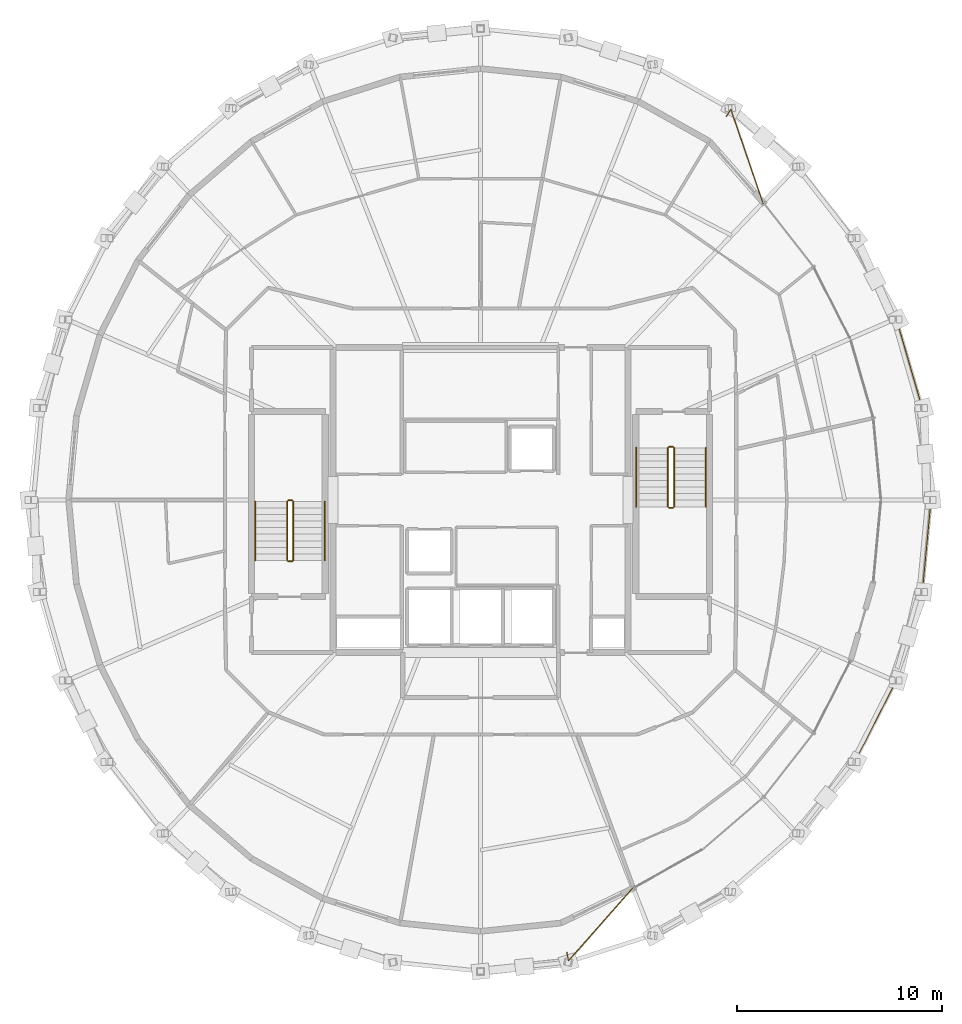
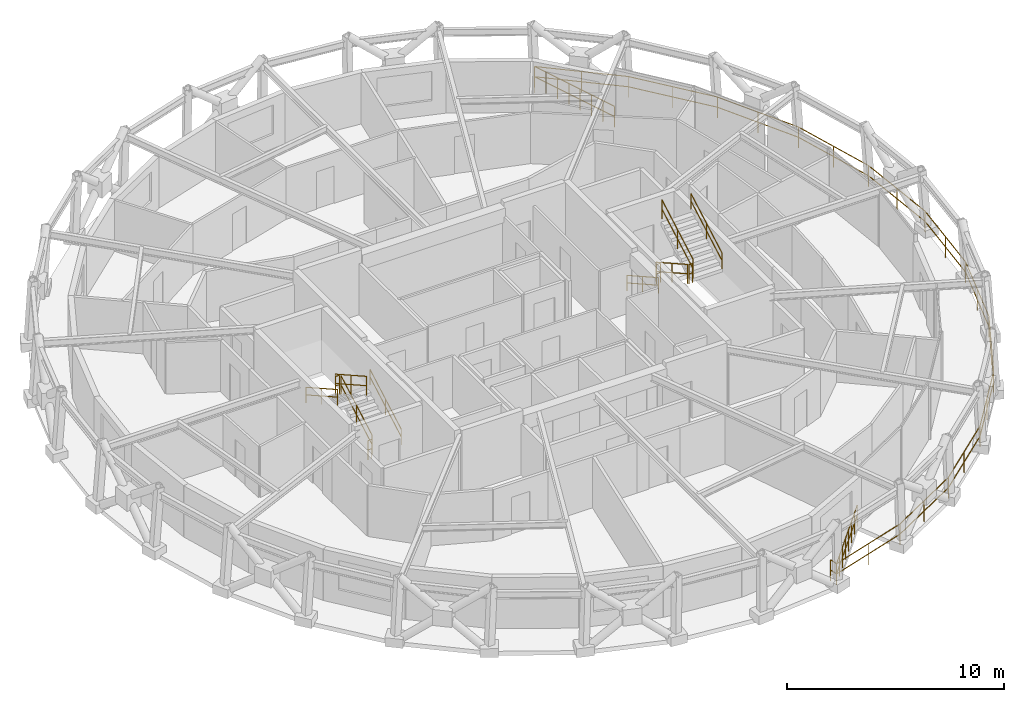
# One storey, part 15 of 15: 15 railings.
"""IFC4 building model written with IfcOpenShell, lengths in metres."""

import ifcopenshell
import ifcopenshell.guid

model = None  # the IFC model being written
_history = None  # IfcOwnerHistory: only IFC2X3 demands one
_inside = {}  # id of a spatial element -> (the spatial element, [elements in it])
_under = {}  # id of a project, library or spatial element -> (it, [spatial elements below it])
_declared = {}  # id of a project -> (the project, [libraries it declares])
_typed = {}  # id of a type object -> (the type object, [elements of that type])
_made_of = {}  # id of a material, layer set ... -> (it, [elements and type objects made of it])


def new_model(schema):
    """Start an empty IFC model of exactly this schema.

    Asked for "IFC4X3", IfcOpenShell would pick the latest addendum, in which some entities
    have other attributes; the version numbers below select the first issue.
    IFC2X3 requires an IfcOwnerHistory on every rooted entity: one is made here for all.
    """
    global model, _history
    if schema == "IFC4X3":
        model = ifcopenshell.file(schema_version=(4, 3, 0, 0))
    else:
        model = ifcopenshell.file(schema=schema)
    _inside.clear()
    _under.clear()
    _declared.clear()
    _typed.clear()
    _made_of.clear()
    _history = None
    if model.schema == "IFC2X3":
        org = make("IfcOrganization", Name="unknown")
        user = make(
            "IfcPersonAndOrganization",
            ThePerson=make("IfcPerson", FamilyName="unknown"),
            TheOrganization=org,
        )
        app = make(
            "IfcApplication",
            ApplicationDeveloper=org,
            Version="unknown",
            ApplicationFullName="unknown",
            ApplicationIdentifier="unknown",
        )
        _history = make(
            "IfcOwnerHistory",
            OwningUser=user,
            OwningApplication=app,
            ChangeAction="ADDED",
            CreationDate=0,
        )
    return model


def make(cls, **values):
    """One entity of the class cls with the attributes given. An attribute that is None is left unset."""
    return model.create_entity(
        cls, **{name: value for name, value in values.items() if value is not None}
    )


def rooted(cls, **values):
    """An entity with a GlobalId (a new one), such as an element, a storey or a relation."""
    return make(cls, GlobalId=ifcopenshell.guid.new(), OwnerHistory=_history, **values)


def si_unit(unit_type, name, prefix=None):
    """IfcSIUnit, for example si_unit("LENGTHUNIT", "METRE", prefix="MILLI")."""
    return make("IfcSIUnit", UnitType=unit_type, Prefix=prefix, Name=name)


def assignment(units):
    """IfcUnitAssignment: the units of a project."""
    return None if units is None else make("IfcUnitAssignment", Units=units)


def point(xyz):
    """IfcCartesianPoint."""
    return None if xyz is None else make("IfcCartesianPoint", Coordinates=xyz)


def direction(xyz):
    """IfcDirection."""
    return None if xyz is None else make("IfcDirection", DirectionRatios=xyz)


def frame(location, z_axis=None, x_axis=None):
    """IfcAxis2Placement3D, a coordinate frame: its origin and axes. An axis left out is left unset."""
    return make(
        "IfcAxis2Placement3D",
        Location=point(location),
        Axis=direction(z_axis),
        RefDirection=direction(x_axis),
    )


def frame_2d(location, x_axis=None):
    """IfcAxis2Placement2D, a coordinate frame in the plane: its origin and x axis."""
    return make(
        "IfcAxis2Placement2D", Location=point(location), RefDirection=direction(x_axis)
    )


def origin():
    """The frame at (0, 0, 0) with its axes left unset."""
    return frame((0.0, 0.0, 0.0))


def origin_2d():
    """The frame at (0, 0) in the plane with its x axis left unset."""
    return frame_2d((0.0, 0.0))


def place(relative_to, where):
    """IfcLocalPlacement: puts the frame where relative to a parent placement (None: the world)."""
    return make(
        "IfcLocalPlacement", PlacementRelTo=relative_to, RelativePlacement=where
    )


def context(
    kind, dimensions, precision=None, world=None, true_north=None, identifier=None
):
    """IfcGeometricRepresentationContext, for example the 3D "Model" context."""
    return make(
        "IfcGeometricRepresentationContext",
        ContextIdentifier=identifier,
        ContextType=kind,
        CoordinateSpaceDimension=dimensions,
        Precision=precision,
        WorldCoordinateSystem=world,
        TrueNorth=true_north,
    )


def subcontext(parent, identifier, kind, view, scale=None):
    """IfcGeometricRepresentationSubContext, for example "Body" below "Model"."""
    return make(
        "IfcGeometricRepresentationSubContext",
        ContextIdentifier=identifier,
        ContextType=kind,
        ParentContext=parent,
        TargetScale=scale,
        TargetView=view,
    )


def project(units=None, contexts=None):
    """IfcProject with its units and contexts."""
    return rooted(
        "IfcProject",
        Name="project",
        RepresentationContexts=contexts,
        UnitsInContext=assignment(units),
    )


def spatial(cls, under=None, at=None, **own):
    """A site, building, storey or space (cls), placed at a placement, below another one or the project."""
    s = rooted(cls, ObjectPlacement=at, **own)
    if under is not None:
        _under.setdefault(under.id(), (under, []))[1].append(s)
    return s


def profile(cls, at=None, kind="AREA", **sizes):
    """A parametric profile (cls). Its sizes go by their IFC names, for example OverallWidth=200.0."""
    return make(cls, ProfileType=kind, Position=at, **sizes)


def circle(**sizes):
    """IfcCircleProfileDef."""
    return profile("IfcCircleProfileDef", **sizes)


def extrude(swept, where, along, depth):
    """IfcExtrudedAreaSolid: the profile swept, set in the frame where, extruded along a direction by depth."""
    return make(
        "IfcExtrudedAreaSolid",
        SweptArea=swept,
        Position=where,
        ExtrudedDirection=direction(along),
        Depth=depth,
    )


def shape(context_of_items, identifier, shape_type, items):
    """IfcShapeRepresentation: the items that make up one representation, for example the "Body"."""
    return make(
        "IfcShapeRepresentation",
        ContextOfItems=context_of_items,
        RepresentationIdentifier=identifier,
        RepresentationType=shape_type,
        Items=items,
    )


def material(Name=None, Category=None):
    """IfcMaterial."""
    return make("IfcMaterial", Name=Name, Category=Category)


def made_of(thing, what):
    """Note that an element or type object is made of a material, layer set ...; save() writes the relation."""
    if what is not None:
        _made_of.setdefault(what.id(), (what, []))[1].append(thing)
    return thing


def type_object(cls, material=None, **own):
    """A type object (cls), such as IfcWallType, which elements share."""
    return made_of(rooted(cls, **own), material)


def element(
    cls,
    number,
    at=None,
    inside=None,
    cuts=None,
    type_object=None,
    material=None,
    context=None,
    identifier="Body",
    shape_type=None,
    held_by="IfcProductDefinitionShape",
    body=None,
    shapes=None,
    **own,
):
    """One element of the class cls, such as IfcWall. Its Tag is "e" and its number.

    at: its placement. inside: the storey or other place that contains it. cuts: it is an
    opening in that element (IfcRelVoidsElement). A single representation is given by context,
    identifier, shape_type and body (its items); several are given by shapes. held_by: the class
    of the entity that holds the representations. save() writes the other relations.
    """
    e = rooted(cls, Tag="e%d" % number, ObjectPlacement=at, **own)
    if body is not None:
        shapes = [shape(context, identifier, shape_type, body)]
    if shapes is not None:
        e.Representation = make(held_by, Representations=shapes)
    if inside is not None:
        _inside.setdefault(inside.id(), (inside, []))[1].append(e)
    if cuts is not None:
        rooted(
            "IfcRelVoidsElement", RelatingBuildingElement=cuts, RelatedOpeningElement=e
        )
    if type_object is not None:
        _typed.setdefault(type_object.id(), (type_object, []))[1].append(e)
    return made_of(e, material)


def aggregate(whole, parts):
    """IfcRelAggregates: a whole, such as a stair, and the parts it consists of."""
    return rooted("IfcRelAggregates", RelatingObject=whole, RelatedObjects=parts)


def save(model, path):
    """Write the relations noted so far, then the file.

    IfcRelAggregates (storeys below a building ...), IfcRelContainedInSpatialStructure (elements
    in a storey), IfcRelDefinesByType, IfcRelAssociatesMaterial and IfcRelDeclares: one each for
    every whole, place, type object, material and project.
    """
    for whole, parts in _under.values():
        aggregate(whole, parts)
    for where, things in _inside.values():
        rooted(
            "IfcRelContainedInSpatialStructure",
            RelatedElements=things,
            RelatingStructure=where,
        )
    for kind, things in _typed.values():
        rooted("IfcRelDefinesByType", RelatedObjects=things, RelatingType=kind)
    for what, things in _made_of.values():
        rooted("IfcRelAssociatesMaterial", RelatedObjects=things, RelatingMaterial=what)
    for by, libraries in _declared.values():
        rooted("IfcRelDeclares", RelatingContext=by, RelatedDefinitions=libraries)
    model.write(path)


model = new_model("IFC4")

# Units and contexts
model_context = context("Model", 3, precision=1e-05, world=origin(), true_north=direction((0.0, 1.0)))
body_context = subcontext(model_context, "Body", "Model", "MODEL_VIEW")
ifc_project = project(units=[si_unit("LENGTHUNIT", "METRE"), si_unit("AREAUNIT", "SQUARE_METRE"), si_unit("VOLUMEUNIT", "CUBIC_METRE"), si_unit("PLANEANGLEUNIT", "RADIAN"), si_unit("MASSUNIT", "GRAM", prefix="KILO")], contexts=[model_context])

# Site, building, storey
site_placement = place(None, origin())
site = spatial("IfcSite", under=ifc_project, at=site_placement, CompositionType="ELEMENT")
building_placement = place(site_placement, origin())
building = spatial("IfcBuilding", under=site, at=building_placement, Name="Veldorina Hangang Commons", CompositionType="ELEMENT")
storey_placement = place(building_placement, frame((0.0, 0.0, 261.60009765625)))
storey = spatial("IfcBuildingStorey", under=building, at=storey_placement, Name="L68", CompositionType="ELEMENT", Elevation=261.60009765625)

# Railings
ifc_material_1 = material(Name="Glass Laminated Safety Balustrade", Category="glass")
railing_type_1 = type_object("IfcRailingType", Name="RL-BAL-LOGGIA", PredefinedType="BALUSTRADE", material=ifc_material_1)
railing_1_placement = place(storey_placement, frame((36.212890625, 1.912109375, 0.0)))
element("IfcRailing", 1, at=railing_1_placement, inside=storey, type_object=railing_type_1, Name="L68 sky-garden loggia end balustrade A", PredefinedType="BALUSTRADE", context=body_context, shape_type="SweptSolid", body=[
    extrude(circle(Radius=0.02392578125, at=origin_2d()), frame((0.0, 0.0, 1.17578125), z_axis=(0.187272456659, -0.982308010238, 0.0), x_axis=(0.982308010238, 0.187272456659, 0.0)), (0.0, 0.0, 1.0), 0.419677734375),
    extrude(circle(Radius=0.02392578125, at=origin_2d()), frame((0.0, 0.0, 0.60009765625), z_axis=(0.187272456659, -0.982308010238, 0.0), x_axis=(0.982308010238, 0.187272456659, 0.0)), (0.0, 0.0, 1.0), 0.419677734375),
    extrude(circle(Radius=0.02392578125, at=origin_2d()), frame((0.07861328125, -0.412353515625, 1.17578125), z_axis=(0.662030384215, 0.749476997897, 0.0), x_axis=(-0.749476997897, 0.662030384215, 0.0)), (0.0, 0.0, 1.0), 4.79931640625),
    extrude(circle(Radius=0.02392578125, at=origin_2d()), frame((0.07861328125, -0.412353515625, 0.60009765625), z_axis=(0.662030384215, 0.749476997897, 0.0), x_axis=(-0.749476997897, 0.662030384215, 0.0)), (0.0, 0.0, 1.0), 4.79931640625),
    extrude(circle(Radius=0.02099609375, at=origin_2d()), origin(), (0.0, 0.0, 1.0), 1.15185546875),
    extrude(circle(Radius=0.02099609375, at=origin_2d()), frame((0.07861328125, -0.412353515625, 0.0)), (0.0, 0.0, 1.0), 1.15185546875),
    extrude(circle(Radius=0.02099609375, at=origin_2d()), frame((0.532470703125, 0.1015625, 0.0)), (0.0, 0.0, 1.0), 1.15185546875),
    extrude(circle(Radius=0.02099609375, at=origin_2d()), frame((0.986328125, 0.615234375, 0.0)), (0.0, 0.0, 1.0), 1.15185546875),
    extrude(circle(Radius=0.02099609375, at=origin_2d()), frame((1.440185546875, 1.129150390625, 0.0)), (0.0, 0.0, 1.0), 1.15185546875),
    extrude(circle(Radius=0.02099609375, at=origin_2d()), frame((1.894287109375, 1.64306640625, 0.0)), (0.0, 0.0, 1.0), 1.15185546875),
    extrude(circle(Radius=0.02099609375, at=origin_2d()), frame((2.34814453125, 2.156982421875, 0.0)), (0.0, 0.0, 1.0), 1.15185546875),
    extrude(circle(Radius=0.02099609375, at=origin_2d()), frame((2.802001953125, 2.670654296875, 0.0)), (0.0, 0.0, 1.0), 1.15185546875),
    extrude(circle(Radius=0.02099609375, at=origin_2d()), frame((3.255859375, 3.1845703125, 0.0)), (0.0, 0.0, 1.0), 1.15185546875),
])
railing_2_placement = place(storey_placement, frame((43.99462890625, 42.720458984375, 0.0)))
element("IfcRailing", 2, at=railing_2_placement, inside=storey, type_object=railing_type_1, Name="L68 sky-garden loggia end balustrade B", PredefinedType="BALUSTRADE", context=body_context, shape_type="SweptSolid", body=[
    extrude(circle(Radius=0.02392578125, at=origin_2d()), frame((0.0, 0.0, 1.17578125), z_axis=(0.539581577495, 0.841933323505, 0.0), x_axis=(-0.841933323505, 0.539581577495, 0.0)), (0.0, 0.0, 1.0), 0.419921875),
    extrude(circle(Radius=0.02392578125, at=origin_2d()), frame((0.0, 0.0, 0.60009765625), z_axis=(0.539581577495, 0.841933323505, 0.0), x_axis=(-0.841933323505, 0.539581577495, 0.0)), (0.0, 0.0, 1.0), 0.419921875),
    extrude(circle(Radius=0.02392578125, at=origin_2d()), frame((0.2265625, 0.353515625, 1.17578125), z_axis=(0.32418844825, -0.945992521123, 0.0), x_axis=(0.945992521123, 0.32418844825, 0.0)), (0.0, 0.0, 1.0), 4.869384765625),
    extrude(circle(Radius=0.02392578125, at=origin_2d()), frame((0.2265625, 0.353515625, 0.60009765625), z_axis=(0.32418844825, -0.945992521123, 0.0), x_axis=(0.945992521123, 0.32418844825, 0.0)), (0.0, 0.0, 1.0), 4.869384765625),
    extrude(circle(Radius=0.02099609375, at=origin_2d()), origin(), (0.0, 0.0, 1.0), 1.15185546875),
    extrude(circle(Radius=0.02099609375, at=origin_2d()), frame((0.2265625, 0.353515625, 0.0)), (0.0, 0.0, 1.0), 1.15185546875),
    extrude(circle(Radius=0.02099609375, at=origin_2d()), frame((0.4521484375, -0.304443359375, 0.0)), (0.0, 0.0, 1.0), 1.15185546875),
    extrude(circle(Radius=0.02099609375, at=origin_2d()), frame((0.677490234375, -0.962646484375, 0.0)), (0.0, 0.0, 1.0), 1.15185546875),
    extrude(circle(Radius=0.02099609375, at=origin_2d()), frame((0.903076171875, -1.62060546875, 0.0)), (0.0, 0.0, 1.0), 1.15185546875),
    extrude(circle(Radius=0.02099609375, at=origin_2d()), frame((1.128662109375, -2.27880859375, 0.0)), (0.0, 0.0, 1.0), 1.15185546875),
    extrude(circle(Radius=0.02099609375, at=origin_2d()), frame((1.354248046875, -2.936767578125, 0.0)), (0.0, 0.0, 1.0), 1.15185546875),
    extrude(circle(Radius=0.02099609375, at=origin_2d()), frame((1.57958984375, -3.594970703125, 0.0)), (0.0, 0.0, 1.0), 1.15185546875),
    extrude(circle(Radius=0.02099609375, at=origin_2d()), frame((1.80517578125, -4.2529296875, 0.0)), (0.0, 0.0, 1.0), 1.15185546875),
])
railing_3_placement = place(storey_placement, frame((36.29150390625, 1.499755859375, 0.0)))
element("IfcRailing", 3, at=railing_3_placement, inside=storey, type_object=railing_type_1, Name="L68 sky-garden loggia outer balustrade", PredefinedType="BALUSTRADE", context=body_context, shape_type="SweptSolid", body=[
    extrude(circle(Radius=0.02392578125, at=origin_2d()), frame((0.0, 0.0, 1.17578125), z_axis=(0.953417141841, 0.30165502423, 0.0), x_axis=(-0.30165502423, 0.953417141841, 0.0)), (0.0, 0.0, 1.0), 4.328369140625),
    extrude(circle(Radius=0.02392578125, at=origin_2d()), frame((0.0, 0.0, 0.60009765625), z_axis=(0.953417141841, 0.30165502423, 0.0), x_axis=(-0.30165502423, 0.953417141841, 0.0)), (0.0, 0.0, 1.0), 4.328369140625),
    extrude(circle(Radius=0.02392578125, at=origin_2d()), frame((4.126708984375, 1.3056640625, 1.17578125), z_axis=(0.873391852191, 0.487018143939, 0.0), x_axis=(-0.487018143939, 0.873391852191, 0.0)), (0.0, 0.0, 1.0), 4.354248046875),
    extrude(circle(Radius=0.02392578125, at=origin_2d()), frame((4.126708984375, 1.3056640625, 0.60009765625), z_axis=(0.873391852191, 0.487018143939, 0.0), x_axis=(-0.487018143939, 0.873391852191, 0.0)), (0.0, 0.0, 1.0), 4.354248046875),
    extrude(circle(Radius=0.02392578125, at=origin_2d()), frame((7.9296875, 3.42626953125, 1.17578125), z_axis=(0.759661025133, 0.65031924998, 0.0), x_axis=(-0.65031924998, 0.759661025133, 0.0)), (0.0, 0.0, 1.0), 4.387451171875),
    extrude(circle(Radius=0.02392578125, at=origin_2d()), frame((7.9296875, 3.42626953125, 0.60009765625), z_axis=(0.759661025133, 0.65031924998, 0.0), x_axis=(-0.65031924998, 0.759661025133, 0.0)), (0.0, 0.0, 1.0), 4.387451171875),
    extrude(circle(Radius=0.02392578125, at=origin_2d()), frame((11.2626953125, 6.279541015625, 1.17578125), z_axis=(0.618313804398, 0.785931319703, 0.0), x_axis=(-0.785931319703, 0.618313804398, 0.0)), (0.0, 0.0, 1.0), 4.423583984375),
    extrude(circle(Radius=0.02392578125, at=origin_2d()), frame((11.2626953125, 6.279541015625, 0.60009765625), z_axis=(0.618313804398, 0.785931319703, 0.0), x_axis=(-0.785931319703, 0.618313804398, 0.0)), (0.0, 0.0, 1.0), 4.423583984375),
    extrude(circle(Radius=0.02392578125, at=origin_2d()), frame((13.997802734375, 9.756103515625, 1.17578125), z_axis=(0.455979602847, 0.88999022567, 0.0), x_axis=(-0.88999022567, 0.455979602847, 0.0)), (0.0, 0.0, 1.0), 4.456298828125),
    extrude(circle(Radius=0.02392578125, at=origin_2d()), frame((13.997802734375, 9.756103515625, 0.60009765625), z_axis=(0.455979602847, 0.88999022567, 0.0), x_axis=(-0.88999022567, 0.455979602847, 0.0)), (0.0, 0.0, 1.0), 4.456298828125),
    extrude(circle(Radius=0.02392578125, at=origin_2d()), frame((16.02978515625, 13.72216796875, 1.17578125), z_axis=(0.279215379387, 0.960228499844, 0.0), x_axis=(-0.960228499844, 0.279215379387, 0.0)), (0.0, 0.0, 1.0), 4.481201171875),
    extrude(circle(Radius=0.02392578125, at=origin_2d()), frame((16.02978515625, 13.72216796875, 0.60009765625), z_axis=(0.279215379387, 0.960228499844, 0.0), x_axis=(-0.960228499844, 0.279215379387, 0.0)), (0.0, 0.0, 1.0), 4.481201171875),
    extrude(circle(Radius=0.02392578125, at=origin_2d()), frame((17.281005859375, 18.025146484375, 1.17578125), z_axis=(0.094017058659, 0.995570586489, 0.0), x_axis=(-0.995570586489, 0.094017058659, 0.0)), (0.0, 0.0, 1.0), 4.4951171875),
    extrude(circle(Radius=0.02392578125, at=origin_2d()), frame((17.281005859375, 18.025146484375, 0.60009765625), z_axis=(0.094017058659, 0.995570586489, 0.0), x_axis=(-0.995570586489, 0.094017058659, 0.0)), (0.0, 0.0, 1.0), 4.4951171875),
    extrude(circle(Radius=0.02392578125, at=origin_2d()), frame((17.70361328125, 22.500244140625, 1.17578125), z_axis=(-0.094017058659, 0.995570586489, 0.0), x_axis=(-0.995570586489, -0.094017058659, 0.0)), (0.0, 0.0, 1.0), 4.4951171875),
    extrude(circle(Radius=0.02392578125, at=origin_2d()), frame((17.70361328125, 22.500244140625, 0.60009765625), z_axis=(-0.094017058659, 0.995570586489, 0.0), x_axis=(-0.995570586489, -0.094017058659, 0.0)), (0.0, 0.0, 1.0), 4.4951171875),
    extrude(circle(Radius=0.02392578125, at=origin_2d()), frame((17.281005859375, 26.975341796875, 1.17578125), z_axis=(-0.279215379387, 0.960228499844, 0.0), x_axis=(-0.960228499844, -0.279215379387, 0.0)), (0.0, 0.0, 1.0), 4.481201171875),
    extrude(circle(Radius=0.02392578125, at=origin_2d()), frame((17.281005859375, 26.975341796875, 0.60009765625), z_axis=(-0.279215379387, 0.960228499844, 0.0), x_axis=(-0.960228499844, -0.279215379387, 0.0)), (0.0, 0.0, 1.0), 4.481201171875),
    extrude(circle(Radius=0.02392578125, at=origin_2d()), frame((16.02978515625, 31.2783203125, 1.17578125), z_axis=(-0.455979602847, 0.88999022567, 0.0), x_axis=(-0.88999022567, -0.455979602847, 0.0)), (0.0, 0.0, 1.0), 4.456298828125),
    extrude(circle(Radius=0.02392578125, at=origin_2d()), frame((16.02978515625, 31.2783203125, 0.60009765625), z_axis=(-0.455979602847, 0.88999022567, 0.0), x_axis=(-0.88999022567, -0.455979602847, 0.0)), (0.0, 0.0, 1.0), 4.456298828125),
    extrude(circle(Radius=0.02392578125, at=origin_2d()), frame((13.997802734375, 35.244384765625, 1.17578125), z_axis=(-0.618313804398, 0.785931319703, 0.0), x_axis=(-0.785931319703, -0.618313804398, 0.0)), (0.0, 0.0, 1.0), 4.423583984375),
    extrude(circle(Radius=0.02392578125, at=origin_2d()), frame((13.997802734375, 35.244384765625, 0.60009765625), z_axis=(-0.618313804398, 0.785931319703, 0.0), x_axis=(-0.785931319703, -0.618313804398, 0.0)), (0.0, 0.0, 1.0), 4.423583984375),
    extrude(circle(Radius=0.02392578125, at=origin_2d()), frame((11.2626953125, 38.720947265625, 1.17578125), z_axis=(-0.759661025133, 0.65031924998, 0.0), x_axis=(-0.65031924998, -0.759661025133, 0.0)), (0.0, 0.0, 1.0), 4.387451171875),
    extrude(circle(Radius=0.02392578125, at=origin_2d()), frame((11.2626953125, 38.720947265625, 0.60009765625), z_axis=(-0.759661025133, 0.65031924998, 0.0), x_axis=(-0.65031924998, -0.759661025133, 0.0)), (0.0, 0.0, 1.0), 4.387451171875),
    extrude(circle(Radius=0.02099609375, at=origin_2d()), origin(), (0.0, 0.0, 1.0), 1.15185546875),
    extrude(circle(Radius=0.02099609375, at=origin_2d()), frame((2.0634765625, 0.65283203125, 0.0)), (0.0, 0.0, 1.0), 1.15185546875),
    extrude(circle(Radius=0.02099609375, at=origin_2d()), frame((4.126708984375, 1.3056640625, 0.0)), (0.0, 0.0, 1.0), 1.15185546875),
    extrude(circle(Radius=0.02099609375, at=origin_2d()), frame((6.0283203125, 2.365966796875, 0.0)), (0.0, 0.0, 1.0), 1.15185546875),
    extrude(circle(Radius=0.02099609375, at=origin_2d()), frame((7.9296875, 3.42626953125, 0.0)), (0.0, 0.0, 1.0), 1.15185546875),
    extrude(circle(Radius=0.02099609375, at=origin_2d()), frame((9.59619140625, 4.85302734375, 0.0)), (0.0, 0.0, 1.0), 1.15185546875),
    extrude(circle(Radius=0.02099609375, at=origin_2d()), frame((11.2626953125, 6.279541015625, 0.0)), (0.0, 0.0, 1.0), 1.15185546875),
    extrude(circle(Radius=0.02099609375, at=origin_2d()), frame((12.63037109375, 8.017822265625, 0.0)), (0.0, 0.0, 1.0), 1.15185546875),
    extrude(circle(Radius=0.02099609375, at=origin_2d()), frame((13.997802734375, 9.756103515625, 0.0)), (0.0, 0.0, 1.0), 1.15185546875),
    extrude(circle(Radius=0.02099609375, at=origin_2d()), frame((15.013671875, 11.7392578125, 0.0)), (0.0, 0.0, 1.0), 1.15185546875),
    extrude(circle(Radius=0.02099609375, at=origin_2d()), frame((16.02978515625, 13.72216796875, 0.0)), (0.0, 0.0, 1.0), 1.15185546875),
    extrude(circle(Radius=0.02099609375, at=origin_2d()), frame((16.6552734375, 15.87353515625, 0.0)), (0.0, 0.0, 1.0), 1.15185546875),
    extrude(circle(Radius=0.02099609375, at=origin_2d()), frame((17.281005859375, 18.025146484375, 0.0)), (0.0, 0.0, 1.0), 1.15185546875),
    extrude(circle(Radius=0.02099609375, at=origin_2d()), frame((17.4921875, 20.2626953125, 0.0)), (0.0, 0.0, 1.0), 1.15185546875),
    extrude(circle(Radius=0.02099609375, at=origin_2d()), frame((17.70361328125, 22.500244140625, 0.0)), (0.0, 0.0, 1.0), 1.15185546875),
    extrude(circle(Radius=0.02099609375, at=origin_2d()), frame((17.4921875, 24.73779296875, 0.0)), (0.0, 0.0, 1.0), 1.15185546875),
    extrude(circle(Radius=0.02099609375, at=origin_2d()), frame((17.281005859375, 26.975341796875, 0.0)), (0.0, 0.0, 1.0), 1.15185546875),
    extrude(circle(Radius=0.02099609375, at=origin_2d()), frame((16.6552734375, 29.126953125, 0.0)), (0.0, 0.0, 1.0), 1.15185546875),
    extrude(circle(Radius=0.02099609375, at=origin_2d()), frame((16.02978515625, 31.2783203125, 0.0)), (0.0, 0.0, 1.0), 1.15185546875),
    extrude(circle(Radius=0.02099609375, at=origin_2d()), frame((15.013671875, 33.26123046875, 0.0)), (0.0, 0.0, 1.0), 1.15185546875),
    extrude(circle(Radius=0.02099609375, at=origin_2d()), frame((13.997802734375, 35.244384765625, 0.0)), (0.0, 0.0, 1.0), 1.15185546875),
    extrude(circle(Radius=0.02099609375, at=origin_2d()), frame((12.63037109375, 36.982666015625, 0.0)), (0.0, 0.0, 1.0), 1.15185546875),
    extrude(circle(Radius=0.02099609375, at=origin_2d()), frame((11.2626953125, 38.720947265625, 0.0)), (0.0, 0.0, 1.0), 1.15185546875),
    extrude(circle(Radius=0.02099609375, at=origin_2d()), frame((9.59619140625, 40.1474609375, 0.0)), (0.0, 0.0, 1.0), 1.15185546875),
    extrude(circle(Radius=0.02099609375, at=origin_2d()), frame((7.9296875, 41.57421875, 0.0)), (0.0, 0.0, 1.0), 1.15185546875),
])
ifc_material_2 = material(Name="Steel Painted Balustrade", Category="steel")
railing_type_2 = type_object("IfcRailingType", Name="RL-GRD-STAIR", PredefinedType="GUARDRAIL", material=ifc_material_2)
railing_4_placement = place(storey_placement, frame((22.85009765625, 21.050048828125, 0.179931640625)))
element("IfcRailing", 4, at=railing_4_placement, inside=storey, type_object=railing_type_2, Name="L68 ST-1 stair guard 1", PredefinedType="GUARDRAIL", context=body_context, shape_type="SweptSolid", body=[
    extrude(circle(Radius=0.02392578125, at=origin_2d()), frame((0.0, 0.0, 1.076171875), z_axis=(0.0, 0.871583430097, 0.490247207417), x_axis=(-1.0, 0.0, 0.0)), (0.0, 0.0, 1.0), 3.30419921875),
    extrude(circle(Radius=0.02392578125, at=origin_2d()), frame((0.0, 0.0, 0.550048828125), z_axis=(0.0, 0.871583430097, 0.490247207417), x_axis=(-1.0, 0.0, 0.0)), (0.0, 0.0, 1.0), 3.30419921875),
    extrude(circle(Radius=0.02099609375, at=origin_2d()), origin(), (0.0, 0.0, 1.0), 1.052001953125),
    extrude(circle(Radius=0.02099609375, at=origin_2d()), frame((0.0, 1.43994140625, 0.81005859375)), (0.0, 0.0, 1.0), 1.052001953125),
    extrude(circle(Radius=0.02099609375, at=origin_2d()), frame((0.0, 2.8798828125, 1.619873046875)), (0.0, 0.0, 1.0), 1.052001953125),
])
railing_5_placement = place(storey_placement, frame((22.800048828125, 23.97998046875, 1.7998046875)))
element("IfcRailing", 5, at=railing_5_placement, inside=storey, type_object=railing_type_2, Name="L68 ST-1 stair guard 2", PredefinedType="GUARDRAIL", context=body_context, shape_type="SweptSolid", body=[
    extrude(circle(Radius=0.02392578125, at=origin_2d()), frame((0.0, 0.0, 1.076171875), z_axis=(-1.0, 0.0, 0.0), x_axis=(0.0, -1.0, 0.0)), (0.0, 0.0, 1.0), 0.199951171875),
    extrude(circle(Radius=0.02392578125, at=origin_2d()), frame((0.0, 0.0, 0.550048828125), z_axis=(-1.0, 0.0, 0.0), x_axis=(0.0, -1.0, 0.0)), (0.0, 0.0, 1.0), 0.199951171875),
    extrude(circle(Radius=0.02099609375, at=origin_2d()), origin(), (0.0, 0.0, 1.0), 1.052001953125),
    extrude(circle(Radius=0.02099609375, at=origin_2d()), frame((-0.199951171875, 0.0, 0.0)), (0.0, 0.0, 1.0), 1.052001953125),
])
railing_6_placement = place(storey_placement, frame((22.550048828125, 23.929931640625, 1.97998046875)))
element("IfcRailing", 6, at=railing_6_placement, inside=storey, type_object=railing_type_2, Name="L68 ST-1 stair guard 3", PredefinedType="GUARDRAIL", context=body_context, shape_type="SweptSolid", body=[
    extrude(circle(Radius=0.02392578125, at=origin_2d()), frame((0.0, 0.0, 1.076171875), z_axis=(0.0, -0.871583430097, 0.490247207417), x_axis=(1.0, 0.0, 0.0)), (0.0, 0.0, 1.0), 3.30419921875),
    extrude(circle(Radius=0.02392578125, at=origin_2d()), frame((0.0, 0.0, 0.550048828125), z_axis=(0.0, -0.871583430097, 0.490247207417), x_axis=(1.0, 0.0, 0.0)), (0.0, 0.0, 1.0), 3.30419921875),
    extrude(circle(Radius=0.02099609375, at=origin_2d()), origin(), (0.0, 0.0, 1.0), 1.052001953125),
    extrude(circle(Radius=0.02099609375, at=origin_2d()), frame((0.0, -1.43994140625, 0.81005859375)), (0.0, 0.0, 1.0), 1.052001953125),
    extrude(circle(Radius=0.02099609375, at=origin_2d()), frame((0.0, -2.8798828125, 1.619873046875)), (0.0, 0.0, 1.0), 1.052001953125),
])
railing_7_placement = place(storey_placement, frame((22.800048828125, 21.0, 0.0)))
element("IfcRailing", 7, at=railing_7_placement, inside=storey, type_object=railing_type_2, Name="L68 ST-1 stair guard 4", PredefinedType="GUARDRAIL", context=body_context, shape_type="SweptSolid", body=[
    extrude(circle(Radius=0.02392578125, at=origin_2d()), frame((0.0, 0.0, 1.076171875), z_axis=(-1.0, 0.0, 0.0), x_axis=(0.0, -1.0, 0.0)), (0.0, 0.0, 1.0), 0.199951171875),
    extrude(circle(Radius=0.02392578125, at=origin_2d()), frame((0.0, 0.0, 0.550048828125), z_axis=(-1.0, 0.0, 0.0), x_axis=(0.0, -1.0, 0.0)), (0.0, 0.0, 1.0), 0.199951171875),
    extrude(circle(Radius=0.02099609375, at=origin_2d()), origin(), (0.0, 0.0, 1.0), 1.052001953125),
    extrude(circle(Radius=0.02099609375, at=origin_2d()), frame((-0.199951171875, 0.0, 0.0)), (0.0, 0.0, 1.0), 1.052001953125),
])
railing_8_placement = place(storey_placement, frame((41.14990234375, 26.550048828125, 0.179931640625)))
element("IfcRailing", 8, at=railing_8_placement, inside=storey, type_object=railing_type_2, Name="L68 ST-2 stair guard 1", PredefinedType="GUARDRAIL", context=body_context, shape_type="SweptSolid", body=[
    extrude(circle(Radius=0.02392578125, at=origin_2d()), frame((0.0, 0.0, 1.076171875), z_axis=(0.0, -0.871601186807, 0.490215637405), x_axis=(1.0, 0.0, 0.0)), (0.0, 0.0, 1.0), 3.304443359375),
    extrude(circle(Radius=0.02392578125, at=origin_2d()), frame((0.0, 0.0, 0.550048828125), z_axis=(0.0, -0.871601186807, 0.490215637405), x_axis=(1.0, 0.0, 0.0)), (0.0, 0.0, 1.0), 3.304443359375),
    extrude(circle(Radius=0.02099609375, at=origin_2d()), origin(), (0.0, 0.0, 1.0), 1.052001953125),
    extrude(circle(Radius=0.02099609375, at=origin_2d()), frame((0.0, -1.43994140625, 0.81005859375)), (0.0, 0.0, 1.0), 1.052001953125),
    extrude(circle(Radius=0.02099609375, at=origin_2d()), frame((0.0, -2.880126953125, 1.619873046875)), (0.0, 0.0, 1.0), 1.052001953125),
])
railing_9_placement = place(storey_placement, frame((41.199951171875, 23.6201171875, 1.7998046875)))
element("IfcRailing", 9, at=railing_9_placement, inside=storey, type_object=railing_type_2, Name="L68 ST-2 stair guard 2", PredefinedType="GUARDRAIL", context=body_context, shape_type="SweptSolid", body=[
    extrude(circle(Radius=0.02392578125, at=origin_2d()), frame((0.0, 0.0, 1.076171875), z_axis=(1.0, 0.0, 0.0), x_axis=(0.0, 1.0, 0.0)), (0.0, 0.0, 1.0), 0.199951171875),
    extrude(circle(Radius=0.02392578125, at=origin_2d()), frame((0.0, 0.0, 0.550048828125), z_axis=(1.0, 0.0, 0.0), x_axis=(0.0, 1.0, 0.0)), (0.0, 0.0, 1.0), 0.199951171875),
    extrude(circle(Radius=0.02099609375, at=origin_2d()), origin(), (0.0, 0.0, 1.0), 1.052001953125),
    extrude(circle(Radius=0.02099609375, at=origin_2d()), frame((0.199951171875, 0.0, 0.0)), (0.0, 0.0, 1.0), 1.052001953125),
])
railing_10_placement = place(storey_placement, frame((41.449951171875, 23.669921875, 1.97998046875)))
element("IfcRailing", 10, at=railing_10_placement, inside=storey, type_object=railing_type_2, Name="L68 ST-2 stair guard 3", PredefinedType="GUARDRAIL", context=body_context, shape_type="SweptSolid", body=[
    extrude(circle(Radius=0.02392578125, at=origin_2d()), frame((0.0, 0.0, 1.076171875), z_axis=(0.0, 0.871601186807, 0.490215637405), x_axis=(-1.0, 0.0, 0.0)), (0.0, 0.0, 1.0), 3.304443359375),
    extrude(circle(Radius=0.02392578125, at=origin_2d()), frame((0.0, 0.0, 0.550048828125), z_axis=(0.0, 0.871601186807, 0.490215637405), x_axis=(-1.0, 0.0, 0.0)), (0.0, 0.0, 1.0), 3.304443359375),
    extrude(circle(Radius=0.02099609375, at=origin_2d()), origin(), (0.0, 0.0, 1.0), 1.052001953125),
    extrude(circle(Radius=0.02099609375, at=origin_2d()), frame((0.0, 1.43994140625, 0.81005859375)), (0.0, 0.0, 1.0), 1.052001953125),
    extrude(circle(Radius=0.02099609375, at=origin_2d()), frame((0.0, 2.880126953125, 1.619873046875)), (0.0, 0.0, 1.0), 1.052001953125),
])
railing_11_placement = place(storey_placement, frame((41.199951171875, 26.60009765625, 0.0)))
element("IfcRailing", 11, at=railing_11_placement, inside=storey, type_object=railing_type_2, Name="L68 ST-2 stair guard 4", PredefinedType="GUARDRAIL", context=body_context, shape_type="SweptSolid", body=[
    extrude(circle(Radius=0.02392578125, at=origin_2d()), frame((0.0, 0.0, 1.076171875), z_axis=(1.0, 0.0, 0.0), x_axis=(0.0, 1.0, 0.0)), (0.0, 0.0, 1.0), 0.199951171875),
    extrude(circle(Radius=0.02392578125, at=origin_2d()), frame((0.0, 0.0, 0.550048828125), z_axis=(1.0, 0.0, 0.0), x_axis=(0.0, 1.0, 0.0)), (0.0, 0.0, 1.0), 0.199951171875),
    extrude(circle(Radius=0.02099609375, at=origin_2d()), origin(), (0.0, 0.0, 1.0), 1.052001953125),
    extrude(circle(Radius=0.02099609375, at=origin_2d()), frame((0.199951171875, 0.0, 0.0)), (0.0, 0.0, 1.0), 1.052001953125),
])
ifc_material_3 = material(Name="Stainless Steel Brushed 316", Category="steel")
railing_type_3 = type_object("IfcRailingType", Name="RL-HND-STAIR", PredefinedType="HANDRAIL", material=ifc_material_3)
railing_12_placement = place(storey_placement, frame((24.39990234375, 21.050048828125, 0.179931640625)))
element("IfcRailing", 12, at=railing_12_placement, inside=storey, type_object=railing_type_3, Name="L68 ST-1 stair handrail 1", PredefinedType="HANDRAIL", context=body_context, shape_type="SweptSolid", body=[
    extrude(circle(Radius=0.02392578125, at=origin_2d()), frame((0.0, 0.0, 0.8759765625), z_axis=(0.0, 0.871583430097, 0.490247207417), x_axis=(-1.0, 0.0, 0.0)), (0.0, 0.0, 1.0), 3.30419921875),
    extrude(circle(Radius=0.02392578125, at=origin_2d()), frame((0.0, 0.0, 0.449951171875), z_axis=(0.0, 0.871583430097, 0.490247207417), x_axis=(-1.0, 0.0, 0.0)), (0.0, 0.0, 1.0), 3.30419921875),
    extrude(circle(Radius=0.02099609375, at=origin_2d()), origin(), (0.0, 0.0, 1.0), 0.851806640625),
    extrude(circle(Radius=0.02099609375, at=origin_2d()), frame((0.0, 1.43994140625, 0.81005859375)), (0.0, 0.0, 1.0), 0.851806640625),
    extrude(circle(Radius=0.02099609375, at=origin_2d()), frame((0.0, 2.8798828125, 1.619873046875)), (0.0, 0.0, 1.0), 0.851806640625),
])
railing_13_placement = place(storey_placement, frame((21.0, 23.929931640625, 1.97998046875)))
element("IfcRailing", 13, at=railing_13_placement, inside=storey, type_object=railing_type_3, Name="L68 ST-1 stair handrail 2", PredefinedType="HANDRAIL", context=body_context, shape_type="SweptSolid", body=[
    extrude(circle(Radius=0.02392578125, at=origin_2d()), frame((0.0, 0.0, 0.8759765625), z_axis=(0.0, -0.871583430097, 0.490247207417), x_axis=(1.0, 0.0, 0.0)), (0.0, 0.0, 1.0), 3.30419921875),
    extrude(circle(Radius=0.02392578125, at=origin_2d()), frame((0.0, 0.0, 0.449951171875), z_axis=(0.0, -0.871583430097, 0.490247207417), x_axis=(1.0, 0.0, 0.0)), (0.0, 0.0, 1.0), 3.30419921875),
    extrude(circle(Radius=0.02099609375, at=origin_2d()), origin(), (0.0, 0.0, 1.0), 0.851806640625),
    extrude(circle(Radius=0.02099609375, at=origin_2d()), frame((0.0, -1.43994140625, 0.81005859375)), (0.0, 0.0, 1.0), 0.851806640625),
    extrude(circle(Radius=0.02099609375, at=origin_2d()), frame((0.0, -2.8798828125, 1.619873046875)), (0.0, 0.0, 1.0), 0.851806640625),
])
railing_14_placement = place(storey_placement, frame((39.60009765625, 26.550048828125, 0.179931640625)))
element("IfcRailing", 14, at=railing_14_placement, inside=storey, type_object=railing_type_3, Name="L68 ST-2 stair handrail 1", PredefinedType="HANDRAIL", context=body_context, shape_type="SweptSolid", body=[
    extrude(circle(Radius=0.02392578125, at=origin_2d()), frame((0.0, 0.0, 0.8759765625), z_axis=(0.0, -0.871601186807, 0.490215637405), x_axis=(1.0, 0.0, 0.0)), (0.0, 0.0, 1.0), 3.304443359375),
    extrude(circle(Radius=0.02392578125, at=origin_2d()), frame((0.0, 0.0, 0.449951171875), z_axis=(0.0, -0.871601186807, 0.490215637405), x_axis=(1.0, 0.0, 0.0)), (0.0, 0.0, 1.0), 3.304443359375),
    extrude(circle(Radius=0.02099609375, at=origin_2d()), origin(), (0.0, 0.0, 1.0), 0.851806640625),
    extrude(circle(Radius=0.02099609375, at=origin_2d()), frame((0.0, -1.43994140625, 0.81005859375)), (0.0, 0.0, 1.0), 0.851806640625),
    extrude(circle(Radius=0.02099609375, at=origin_2d()), frame((0.0, -2.880126953125, 1.619873046875)), (0.0, 0.0, 1.0), 0.851806640625),
])
railing_15_placement = place(storey_placement, frame((43.0, 23.669921875, 1.97998046875)))
element("IfcRailing", 15, at=railing_15_placement, inside=storey, type_object=railing_type_3, Name="L68 ST-2 stair handrail 2", PredefinedType="HANDRAIL", context=body_context, shape_type="SweptSolid", body=[
    extrude(circle(Radius=0.02392578125, at=origin_2d()), frame((0.0, 0.0, 0.8759765625), z_axis=(0.0, 0.871601186807, 0.490215637405), x_axis=(-1.0, 0.0, 0.0)), (0.0, 0.0, 1.0), 3.304443359375),
    extrude(circle(Radius=0.02392578125, at=origin_2d()), frame((0.0, 0.0, 0.449951171875), z_axis=(0.0, 0.871601186807, 0.490215637405), x_axis=(-1.0, 0.0, 0.0)), (0.0, 0.0, 1.0), 3.304443359375),
    extrude(circle(Radius=0.02099609375, at=origin_2d()), origin(), (0.0, 0.0, 1.0), 0.851806640625),
    extrude(circle(Radius=0.02099609375, at=origin_2d()), frame((0.0, 1.43994140625, 0.81005859375)), (0.0, 0.0, 1.0), 0.851806640625),
    extrude(circle(Radius=0.02099609375, at=origin_2d()), frame((0.0, 2.880126953125, 1.619873046875)), (0.0, 0.0, 1.0), 0.851806640625),
])

save(model, "model.ifc")
